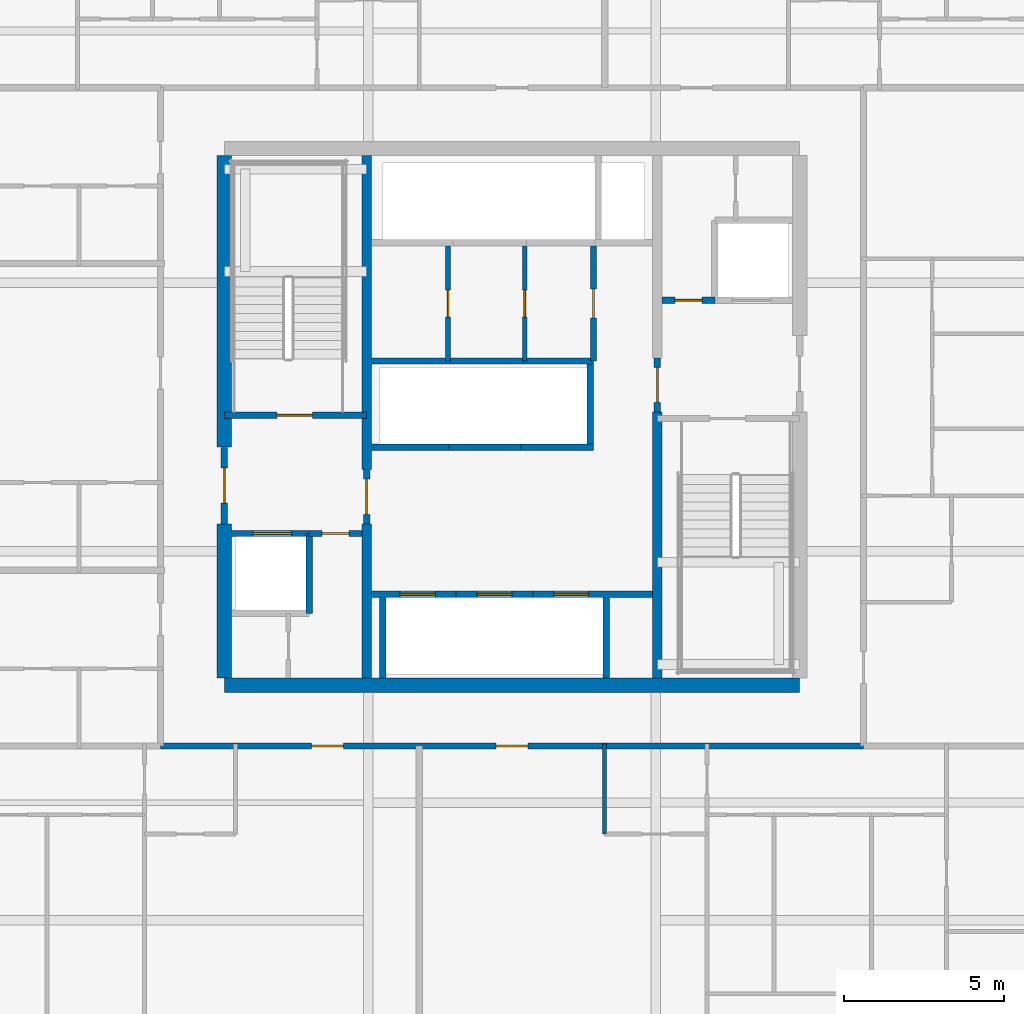
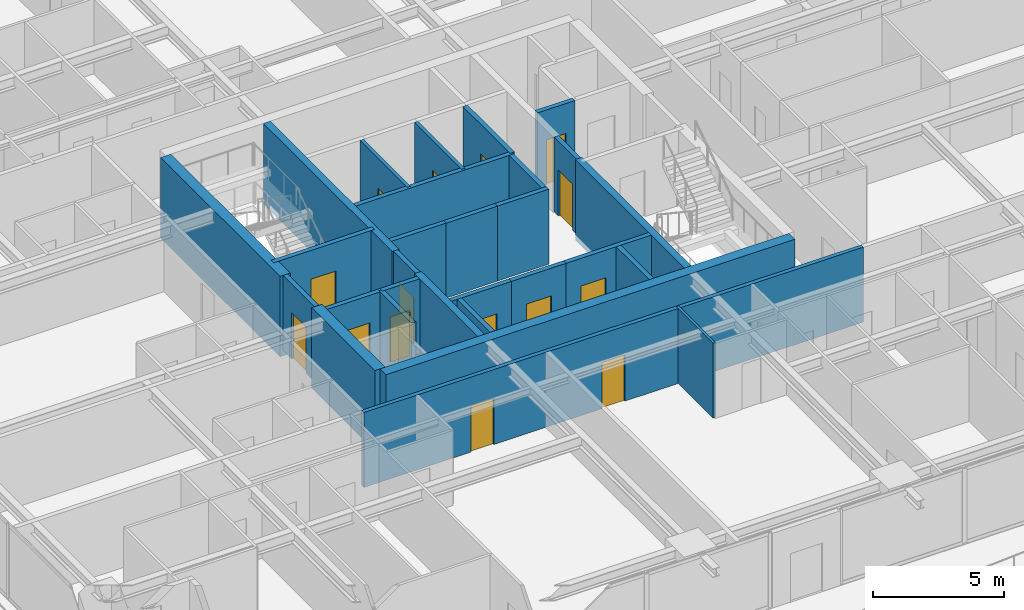
# One storey, part 28 of 39: 29 walls, 15 doors, 15 openings.
"""IFC4 building model written with IfcOpenShell, lengths in metres."""

import ifcopenshell
import ifcopenshell.guid

model = None  # the IFC model being written
_history = None  # IfcOwnerHistory: only IFC2X3 demands one
_inside = {}  # id of a spatial element -> (the spatial element, [elements in it])
_under = {}  # id of a project, library or spatial element -> (it, [spatial elements below it])
_declared = {}  # id of a project -> (the project, [libraries it declares])
_typed = {}  # id of a type object -> (the type object, [elements of that type])
_made_of = {}  # id of a material, layer set ... -> (it, [elements and type objects made of it])


def new_model(schema):
    """Start an empty IFC model of exactly this schema.

    Asked for "IFC4X3", IfcOpenShell would pick the latest addendum, in which some entities
    have other attributes; the version numbers below select the first issue.
    IFC2X3 requires an IfcOwnerHistory on every rooted entity: one is made here for all.
    """
    global model, _history
    if schema == "IFC4X3":
        model = ifcopenshell.file(schema_version=(4, 3, 0, 0))
    else:
        model = ifcopenshell.file(schema=schema)
    _inside.clear()
    _under.clear()
    _declared.clear()
    _typed.clear()
    _made_of.clear()
    _history = None
    if model.schema == "IFC2X3":
        org = make("IfcOrganization", Name="unknown")
        user = make(
            "IfcPersonAndOrganization",
            ThePerson=make("IfcPerson", FamilyName="unknown"),
            TheOrganization=org,
        )
        app = make(
            "IfcApplication",
            ApplicationDeveloper=org,
            Version="unknown",
            ApplicationFullName="unknown",
            ApplicationIdentifier="unknown",
        )
        _history = make(
            "IfcOwnerHistory",
            OwningUser=user,
            OwningApplication=app,
            ChangeAction="ADDED",
            CreationDate=0,
        )
    return model


def make(cls, **values):
    """One entity of the class cls with the attributes given. An attribute that is None is left unset."""
    return model.create_entity(
        cls, **{name: value for name, value in values.items() if value is not None}
    )


def rooted(cls, **values):
    """An entity with a GlobalId (a new one), such as an element, a storey or a relation."""
    return make(cls, GlobalId=ifcopenshell.guid.new(), OwnerHistory=_history, **values)


def si_unit(unit_type, name, prefix=None):
    """IfcSIUnit, for example si_unit("LENGTHUNIT", "METRE", prefix="MILLI")."""
    return make("IfcSIUnit", UnitType=unit_type, Prefix=prefix, Name=name)


def assignment(units):
    """IfcUnitAssignment: the units of a project."""
    return None if units is None else make("IfcUnitAssignment", Units=units)


def point(xyz):
    """IfcCartesianPoint."""
    return None if xyz is None else make("IfcCartesianPoint", Coordinates=xyz)


def direction(xyz):
    """IfcDirection."""
    return None if xyz is None else make("IfcDirection", DirectionRatios=xyz)


def frame(location, z_axis=None, x_axis=None):
    """IfcAxis2Placement3D, a coordinate frame: its origin and axes. An axis left out is left unset."""
    return make(
        "IfcAxis2Placement3D",
        Location=point(location),
        Axis=direction(z_axis),
        RefDirection=direction(x_axis),
    )


def frame_2d(location, x_axis=None):
    """IfcAxis2Placement2D, a coordinate frame in the plane: its origin and x axis."""
    return make(
        "IfcAxis2Placement2D", Location=point(location), RefDirection=direction(x_axis)
    )


def origin():
    """The frame at (0, 0, 0) with its axes left unset."""
    return frame((0.0, 0.0, 0.0))


def place(relative_to, where):
    """IfcLocalPlacement: puts the frame where relative to a parent placement (None: the world)."""
    return make(
        "IfcLocalPlacement", PlacementRelTo=relative_to, RelativePlacement=where
    )


def context(
    kind, dimensions, precision=None, world=None, true_north=None, identifier=None
):
    """IfcGeometricRepresentationContext, for example the 3D "Model" context."""
    return make(
        "IfcGeometricRepresentationContext",
        ContextIdentifier=identifier,
        ContextType=kind,
        CoordinateSpaceDimension=dimensions,
        Precision=precision,
        WorldCoordinateSystem=world,
        TrueNorth=true_north,
    )


def subcontext(parent, identifier, kind, view, scale=None):
    """IfcGeometricRepresentationSubContext, for example "Body" below "Model"."""
    return make(
        "IfcGeometricRepresentationSubContext",
        ContextIdentifier=identifier,
        ContextType=kind,
        ParentContext=parent,
        TargetScale=scale,
        TargetView=view,
    )


def project(units=None, contexts=None):
    """IfcProject with its units and contexts."""
    return rooted(
        "IfcProject",
        Name="project",
        RepresentationContexts=contexts,
        UnitsInContext=assignment(units),
    )


def spatial(cls, under=None, at=None, **own):
    """A site, building, storey or space (cls), placed at a placement, below another one or the project."""
    s = rooted(cls, ObjectPlacement=at, **own)
    if under is not None:
        _under.setdefault(under.id(), (under, []))[1].append(s)
    return s


def profile(cls, at=None, kind="AREA", **sizes):
    """A parametric profile (cls). Its sizes go by their IFC names, for example OverallWidth=200.0."""
    return make(cls, ProfileType=kind, Position=at, **sizes)


def rectangle(**sizes):
    """IfcRectangleProfileDef."""
    return profile("IfcRectangleProfileDef", **sizes)


def extrude(swept, where, along, depth):
    """IfcExtrudedAreaSolid: the profile swept, set in the frame where, extruded along a direction by depth."""
    return make(
        "IfcExtrudedAreaSolid",
        SweptArea=swept,
        Position=where,
        ExtrudedDirection=direction(along),
        Depth=depth,
    )


def shape(context_of_items, identifier, shape_type, items):
    """IfcShapeRepresentation: the items that make up one representation, for example the "Body"."""
    return make(
        "IfcShapeRepresentation",
        ContextOfItems=context_of_items,
        RepresentationIdentifier=identifier,
        RepresentationType=shape_type,
        Items=items,
    )


def source(mapping_origin, context_of_items, identifier, shape_type, items):
    """IfcRepresentationMap: a shape defined once, which mapped items show again and again."""
    return make(
        "IfcRepresentationMap",
        MappingOrigin=mapping_origin,
        MappedRepresentation=shape(context_of_items, identifier, shape_type, items),
    )


def transform(
    local_origin,
    x_axis=None,
    y_axis=None,
    z_axis=None,
    scale=None,
    scale2=None,
    scale3=None,
    uniform=True,
):
    """IfcCartesianTransformationOperator3D, or its non-uniform kind. x_axis, y_axis, z_axis: its Axis1, 2, 3."""
    if uniform:
        return make(
            "IfcCartesianTransformationOperator3D",
            Axis1=direction(x_axis),
            Axis2=direction(y_axis),
            LocalOrigin=point(local_origin),
            Scale=scale,
            Axis3=direction(z_axis),
        )
    return make(
        "IfcCartesianTransformationOperator3DnonUniform",
        Axis1=direction(x_axis),
        Axis2=direction(y_axis),
        LocalOrigin=point(local_origin),
        Scale=scale,
        Axis3=direction(z_axis),
        Scale2=scale2,
        Scale3=scale3,
    )


def mapped(mapping_source, mapping_target):
    """IfcMappedItem: shows the shape of a source again, moved by a transform."""
    return make(
        "IfcMappedItem", MappingSource=mapping_source, MappingTarget=mapping_target
    )


def material(Name=None, Category=None):
    """IfcMaterial."""
    return make("IfcMaterial", Name=Name, Category=Category)


def layer(
    of_material, thickness, ventilated=None, Name=None, Category=None, Priority=None
):
    """IfcMaterialLayer: one layer of a wall or slab, of a material (None: an air gap)."""
    return make(
        "IfcMaterialLayer",
        Material=of_material,
        LayerThickness=thickness,
        IsVentilated=ventilated,
        Name=Name,
        Category=Category,
        Priority=Priority,
    )


def layer_set(layers, Name=None):
    """IfcMaterialLayerSet."""
    return make("IfcMaterialLayerSet", MaterialLayers=layers, LayerSetName=Name)


def made_of(thing, what):
    """Note that an element or type object is made of a material, layer set ...; save() writes the relation."""
    if what is not None:
        _made_of.setdefault(what.id(), (what, []))[1].append(thing)
    return thing


def type_object(cls, material=None, **own):
    """A type object (cls), such as IfcWallType, which elements share."""
    return made_of(rooted(cls, **own), material)


def element(
    cls,
    number,
    at=None,
    inside=None,
    cuts=None,
    type_object=None,
    material=None,
    context=None,
    identifier="Body",
    shape_type=None,
    held_by="IfcProductDefinitionShape",
    body=None,
    shapes=None,
    **own,
):
    """One element of the class cls, such as IfcWall. Its Tag is "e" and its number.

    at: its placement. inside: the storey or other place that contains it. cuts: it is an
    opening in that element (IfcRelVoidsElement). A single representation is given by context,
    identifier, shape_type and body (its items); several are given by shapes. held_by: the class
    of the entity that holds the representations. save() writes the other relations.
    """
    e = rooted(cls, Tag="e%d" % number, ObjectPlacement=at, **own)
    if body is not None:
        shapes = [shape(context, identifier, shape_type, body)]
    if shapes is not None:
        e.Representation = make(held_by, Representations=shapes)
    if inside is not None:
        _inside.setdefault(inside.id(), (inside, []))[1].append(e)
    if cuts is not None:
        rooted(
            "IfcRelVoidsElement", RelatingBuildingElement=cuts, RelatedOpeningElement=e
        )
    if type_object is not None:
        _typed.setdefault(type_object.id(), (type_object, []))[1].append(e)
    return made_of(e, material)


def fill(opening, filler):
    """IfcRelFillsElement: the door or window that sits in an opening."""
    return rooted(
        "IfcRelFillsElement",
        RelatingOpeningElement=opening,
        RelatedBuildingElement=filler,
    )


def aggregate(whole, parts):
    """IfcRelAggregates: a whole, such as a stair, and the parts it consists of."""
    return rooted("IfcRelAggregates", RelatingObject=whole, RelatedObjects=parts)


def save(model, path):
    """Write the relations noted so far, then the file.

    IfcRelAggregates (storeys below a building ...), IfcRelContainedInSpatialStructure (elements
    in a storey), IfcRelDefinesByType, IfcRelAssociatesMaterial and IfcRelDeclares: one each for
    every whole, place, type object, material and project.
    """
    for whole, parts in _under.values():
        aggregate(whole, parts)
    for where, things in _inside.values():
        rooted(
            "IfcRelContainedInSpatialStructure",
            RelatedElements=things,
            RelatingStructure=where,
        )
    for kind, things in _typed.values():
        rooted("IfcRelDefinesByType", RelatedObjects=things, RelatingType=kind)
    for what, things in _made_of.values():
        rooted("IfcRelAssociatesMaterial", RelatedObjects=things, RelatingMaterial=what)
    for by, libraries in _declared.values():
        rooted("IfcRelDeclares", RelatingContext=by, RelatedDefinitions=libraries)
    model.write(path)


model = new_model("IFC4")

# Units and contexts
model_context = context("Model", 3, precision=1e-05, world=origin(), true_north=direction((0.0, 1.0)))
body_context = subcontext(model_context, "Body", "Model", "MODEL_VIEW")
ifc_project = project(units=[si_unit("LENGTHUNIT", "METRE"), si_unit("AREAUNIT", "SQUARE_METRE"), si_unit("VOLUMEUNIT", "CUBIC_METRE"), si_unit("PLANEANGLEUNIT", "RADIAN"), si_unit("MASSUNIT", "GRAM", prefix="KILO")], contexts=[model_context])

# Site, building, storey
site_placement = place(None, origin())
site = spatial("IfcSite", under=ifc_project, at=site_placement, CompositionType="ELEMENT")
building_placement = place(site_placement, origin())
building = spatial("IfcBuilding", under=site, at=building_placement, Name="Serunith Strait Residences", CompositionType="ELEMENT")
storey_placement = place(building_placement, frame((0.0, 0.0, 79.199951171875)))
storey = spatial("IfcBuildingStorey", under=building, at=storey_placement, Name="L19", CompositionType="ELEMENT", Elevation=79.199951171875)

# Wall, opening, door
ifc_material_1 = material(Name="Fire-rated masonry service closet wall", Category="masonry")
ifc_layer_1 = layer(ifc_material_1, 0.14990234375, Name="Fire-rated masonry service closet wall")
ifc_layer_set_1 = layer_set([ifc_layer_1], Name="Fire-rated masonry service closet wall")
wall_type_1 = type_object("IfcWallType", Name="IW-BOH-150", PredefinedType="PARTITIONING", material=ifc_layer_set_1)
wall_1_placement = place(storey_placement, frame((32.800048828125, 26.949951171875, 0.0), z_axis=(0.0, 0.0, 1.0), x_axis=(0.0, 1.0, 0.0)))
wall_1 = element("IfcWall", 1, at=wall_1_placement, inside=storey, type_object=wall_type_1, Name="L19 Partition Wall 015", PredefinedType="PARTITIONING", context=body_context, shape_type="SweptSolid", body=[
    extrude(rectangle(XDim=3.60009765625, YDim=0.14990234375, at=frame_2d((1.800048828125, 0.0))), origin(), (0.0, 0.0, 1.0), 3.489990234375),
])
opening_1_placement = place(wall_1_placement, frame((1.375, 0.0, 0.0)))
opening_1 = element("IfcOpeningElement", 2, at=opening_1_placement, cuts=wall_1, Name="Opening FD-850", PredefinedType="OPENING", context=body_context, shape_type="SweptSolid", body=[
    extrude(rectangle(XDim=0.85009765625, YDim=2.10009765625, at=frame_2d((0.425048828125, 1.050048828125))), frame((0.0, 0.0849609375, 0.0), z_axis=(0.0, -1.0, 0.0), x_axis=(1.0, 0.0, 0.0)), (0.0, 0.0, 1.0), 0.169921875),
])
ifc_material_2 = material(Name="Powder-coated steel service closet door", Category="steel")
door_type_1 = type_object("IfcDoorType", Name="FD-BOH-850", OperationType="NOTDEFINED", PredefinedType="DOOR", material=ifc_material_2)
shared_shape_1 = source(origin(), body_context, "Body", "SweptSolid", [
    extrude(rectangle(XDim=0.85009765625, YDim=2.10009765625, at=frame_2d((0.425048828125, 1.050048828125))), frame((0.0, 0.02490234375, 0.0), z_axis=(0.0, -1.0, 0.0), x_axis=(1.0, 0.0, 0.0)), (0.0, 0.0, 1.0), 0.050048828125),
])
door_1_placement = place(opening_1_placement, origin())
door_1 = element("IfcDoor", 3, at=door_1_placement, inside=storey, type_object=door_type_1, Name="L19 Linen Store Door", OperationType="SINGLE_SWING_RIGHT", OverallHeight=2.10009765625, OverallWidth=0.85009765625, PredefinedType="DOOR", context=body_context, shape_type="MappedRepresentation", body=[
    mapped(shared_shape_1, transform((0.0, 0.0, 0.0), scale=1.0)),
])
fill(opening_1, door_1)

wall_2_placement = place(storey_placement, frame((30.39990234375, 26.949951171875, 0.0), z_axis=(0.0, 0.0, 1.0), x_axis=(0.0, 1.0, 0.0)))
wall_2 = element("IfcWall", 4, at=wall_2_placement, inside=storey, type_object=wall_type_1, Name="L19 Partition Wall 016", PredefinedType="PARTITIONING", context=body_context, shape_type="SweptSolid", body=[
    extrude(rectangle(XDim=3.60009765625, YDim=0.14990234375, at=frame_2d((1.800048828125, 0.0))), origin(), (0.0, 0.0, 1.0), 3.489990234375),
])
opening_2_placement = place(wall_2_placement, frame((1.375, 0.0, 0.0)))
opening_2 = element("IfcOpeningElement", 5, at=opening_2_placement, cuts=wall_2, Name="Opening FD-850", PredefinedType="OPENING", context=body_context, shape_type="SweptSolid", body=[
    extrude(rectangle(XDim=0.85009765625, YDim=2.10009765625, at=frame_2d((0.425048828125, 1.050048828125))), frame((0.0, 0.0849609375, 0.0), z_axis=(0.0, -1.0, 0.0), x_axis=(1.0, 0.0, 0.0)), (0.0, 0.0, 1.0), 0.169921875),
])
door_2_placement = place(opening_2_placement, origin())
door_2 = element("IfcDoor", 6, at=door_2_placement, inside=storey, type_object=door_type_1, Name="L19 Housekeeping Supply Door", OperationType="SINGLE_SWING_LEFT", OverallHeight=2.10009765625, OverallWidth=0.85009765625, PredefinedType="DOOR", context=body_context, shape_type="MappedRepresentation", body=[
    mapped(shared_shape_1, transform((0.0, 0.0, 0.0), scale=1.0)),
])
fill(opening_2, door_2)

# Wall, openings, doors
ifc_material_3 = material(Name="Fire-rated acoustic gypsum partition")
ifc_layer_2 = layer(ifc_material_3, 0.179931640625, Name="Fire-rated acoustic gypsum partition")
ifc_layer_set_2 = layer_set([ifc_layer_2], Name="Fire-rated acoustic gypsum partition")
wall_type_2 = type_object("IfcWallType", Name="IW-CORR-180", PredefinedType="PARTITIONING", material=ifc_layer_set_2)
wall_3_placement = place(storey_placement, frame((21.402099609375, 14.89990234375, 0.0), z_axis=(0.0, 0.0, 1.0), x_axis=(1.0, 0.0, 0.0)))
wall_3 = element("IfcWall", 7, at=wall_3_placement, inside=storey, type_object=wall_type_2, Name="L19 Partition Wall 025", PredefinedType="PARTITIONING", context=body_context, shape_type="SweptSolid", body=[
    extrude(rectangle(XDim=21.995849609375, YDim=0.179931640625, at=frame_2d((10.998046875, 0.0))), origin(), (0.0, 0.0, 1.0), 3.489990234375),
])
opening_3_placement = place(wall_3_placement, frame((4.72412109375, 0.0, 0.0)))
opening_3 = element("IfcOpeningElement", 8, at=opening_3_placement, cuts=wall_3, Name="Opening D-APT1000", PredefinedType="OPENING", context=body_context, shape_type="SweptSolid", body=[
    extrude(rectangle(XDim=1.0, YDim=2.14990234375, at=frame_2d((0.5, 1.074951171875))), frame((0.0, 0.10009765625, 0.0), z_axis=(0.0, -1.0, 0.0), x_axis=(1.0, 0.0, 0.0)), (0.0, 0.0, 1.0), 0.199951171875),
])
opening_4_placement = place(wall_3_placement, frame((10.498046875, 0.0, 0.0)))
opening_4 = element("IfcOpeningElement", 9, at=opening_4_placement, cuts=wall_3, Name="Opening D-APT1000", PredefinedType="OPENING", context=body_context, shape_type="SweptSolid", body=[
    extrude(rectangle(XDim=1.0, YDim=2.14990234375, at=frame_2d((0.5, 1.074951171875))), frame((0.0, 0.10009765625, 0.0), z_axis=(0.0, -1.0, 0.0), x_axis=(1.0, 0.0, 0.0)), (0.0, 0.0, 1.0), 0.199951171875),
])
ifc_material_4 = material(Name="Solid timber engineered fire door", Category="wood")
door_type_2 = type_object("IfcDoorType", Name="ID-APT-1000", OperationType="NOTDEFINED", PredefinedType="DOOR", material=ifc_material_4)
shared_shape_2 = source(origin(), body_context, "Body", "SweptSolid", [
    extrude(rectangle(XDim=1.0, YDim=2.14990234375, at=frame_2d((0.5, 1.074951171875))), frame((0.0, 0.02490234375, 0.0), z_axis=(0.0, -1.0, 0.0), x_axis=(1.0, 0.0, 0.0)), (0.0, 0.0, 1.0), 0.050048828125),
])
door_3_placement = place(opening_3_placement, origin())
door_3 = element("IfcDoor", 10, at=door_3_placement, inside=storey, type_object=door_type_2, Name="L19 Unit 01 Entrance Door", OperationType="SINGLE_SWING_RIGHT", OverallHeight=2.14990234375, OverallWidth=1.0, PredefinedType="DOOR", context=body_context, shape_type="MappedRepresentation", body=[
    mapped(shared_shape_2, transform((0.0, 0.0, 0.0), scale=1.0)),
])
fill(opening_3, door_3)
door_4_placement = place(opening_4_placement, origin())
door_4 = element("IfcDoor", 11, at=door_4_placement, inside=storey, type_object=door_type_2, Name="L19 Unit 02 Entrance Door", OperationType="SINGLE_SWING_LEFT", OverallHeight=2.14990234375, OverallWidth=1.0, PredefinedType="DOOR", context=body_context, shape_type="MappedRepresentation", body=[
    mapped(shared_shape_2, transform((0.0, 0.0, 0.0), scale=1.0)),
])
fill(opening_4, door_4)

# Wall
ifc_material_5 = material(Name="Lightweight steel-stud gypsum partition", Category="steel")
ifc_layer_3 = layer(ifc_material_5, 0.1201171875, Name="Lightweight steel-stud gypsum partition")
ifc_layer_set_3 = layer_set([ifc_layer_3], Name="Lightweight steel-stud gypsum partition")
wall_type_3 = type_object("IfcWallType", Name="IW-PART-120", PredefinedType="PARTITIONING", material=ifc_layer_set_3)
wall_4_placement = place(storey_placement, frame((35.300048828125, 12.14990234375, 0.0), z_axis=(0.0, 0.0, 1.0), x_axis=(0.0, 1.0, 0.0)))
element("IfcWall", 12, at=wall_4_placement, inside=storey, type_object=wall_type_3, Name="L19 Partition Wall 046", PredefinedType="PARTITIONING", context=body_context, shape_type="SweptSolid", body=[
    extrude(rectangle(XDim=2.81005859375, YDim=0.1201171875, at=frame_2d((1.405029296875, 0.0))), origin(), (0.0, 0.0, 1.0), 3.489990234375),
])

# Wall, opening, door
ifc_material_6 = material(Name="Autoclaved aerated concrete blockwork", Category="masonry")
ifc_layer_4 = layer(ifc_material_6, 0.199951171875, Name="Autoclaved aerated concrete blockwork")
ifc_layer_set_4 = layer_set([ifc_layer_4], Name="Autoclaved aerated concrete blockwork")
wall_type_4 = type_object("IfcWallType", Name="IW-SHAFT-200", PredefinedType="STANDARD", material=ifc_layer_set_4)
wall_5_placement = place(storey_placement, frame((23.39990234375, 25.25, 0.0), z_axis=(0.0, 0.0, 1.0), x_axis=(1.0, 0.0, 0.0)))
wall_5 = element("IfcWall", 13, at=wall_5_placement, inside=storey, type_object=wall_type_4, Name="L19 ST-1 South Shaft Wall", PredefinedType="STANDARD", context=body_context, shape_type="SweptSolid", body=[
    extrude(rectangle(XDim=4.4501953125, YDim=0.199951171875, at=frame_2d((2.22509765625, 0.0))), origin(), (0.0, 0.0, 1.0), 3.489990234375),
])
opening_5_placement = place(wall_5_placement, frame((1.64990234375, 0.0, 0.0)))
opening_5 = element("IfcOpeningElement", 14, at=opening_5_placement, cuts=wall_5, Name="Opening FD-1100", PredefinedType="OPENING", context=body_context, shape_type="SweptSolid", body=[
    extrude(rectangle(XDim=1.10009765625, YDim=2.14990234375, at=frame_2d((0.550048828125, 1.074951171875))), frame((0.0, 0.10986328125, 0.0), z_axis=(0.0, -1.0, 0.0), x_axis=(1.0, 0.0, 0.0)), (0.0, 0.0, 1.0), 0.219970703125),
])
ifc_material_7 = material(Name="Galvanised steel fire door leaf", Category="steel")
door_type_3 = type_object("IfcDoorType", Name="FD-STAIR-1100", OperationType="NOTDEFINED", PredefinedType="DOOR", material=ifc_material_7)
shared_shape_3 = source(origin(), body_context, "Body", "SweptSolid", [
    extrude(rectangle(XDim=1.10009765625, YDim=2.14990234375, at=frame_2d((0.550048828125, 1.074951171875))), frame((0.0, 0.02490234375, 0.0), z_axis=(0.0, -1.0, 0.0), x_axis=(1.0, 0.0, 0.0)), (0.0, 0.0, 1.0), 0.050048828125),
])
door_5_placement = place(opening_5_placement, origin())
door_5 = element("IfcDoor", 15, at=door_5_placement, inside=storey, type_object=door_type_3, Name="L19 ST-1 Escape Stair Door", OperationType="SINGLE_SWING_LEFT", OverallHeight=2.14990234375, OverallWidth=1.10009765625, PredefinedType="DOOR", context=body_context, shape_type="MappedRepresentation", body=[
    mapped(shared_shape_3, transform((0.0, 0.0, 0.0), scale=1.0)),
])
fill(opening_5, door_5)

wall_6_placement = place(storey_placement, frame((23.625, 21.550048828125, 0.0), z_axis=(0.0, 0.0, 1.0), x_axis=(1.0, 0.0, 0.0)))
wall_6 = element("IfcWall", 16, at=wall_6_placement, inside=storey, type_object=wall_type_4, Name="L19 FL-1 North Shaft Wall", PredefinedType="STANDARD", context=body_context, shape_type="SweptSolid", body=[
    extrude(rectangle(XDim=2.425048828125, YDim=0.199951171875, at=frame_2d((1.21240234375, 0.0))), origin(), (0.0, 0.0, 1.0), 3.489990234375),
])
opening_6_placement = place(wall_6_placement, frame((0.675048828125, 0.0, 0.0)))
opening_6 = element("IfcOpeningElement", 17, at=opening_6_placement, cuts=wall_6, Name="Opening LD-FF1200", PredefinedType="OPENING", context=body_context, shape_type="SweptSolid", body=[
    extrude(rectangle(XDim=1.199951171875, YDim=2.199951171875, at=frame_2d((0.60009765625, 1.10009765625))), frame((0.0, 0.10986328125, 0.0), z_axis=(0.0, -1.0, 0.0), x_axis=(1.0, 0.0, 0.0)), (0.0, 0.0, 1.0), 0.219970703125),
])
ifc_material_8 = material(Name="Brushed stainless steel landing door", Category="steel")
door_type_4 = type_object("IfcDoorType", Name="LD-FF-1200", OperationType="DOUBLE_DOOR_SLIDING", PredefinedType="DOOR", material=ifc_material_8)
shared_shape_4 = source(origin(), body_context, "Body", "SweptSolid", [
    extrude(rectangle(XDim=1.199951171875, YDim=2.199951171875, at=frame_2d((0.60009765625, 1.10009765625))), frame((0.0, 0.02490234375, 0.0), z_axis=(0.0, -1.0, 0.0), x_axis=(1.0, 0.0, 0.0)), (0.0, 0.0, 1.0), 0.050048828125),
])
door_6_placement = place(opening_6_placement, origin())
door_6 = element("IfcDoor", 18, at=door_6_placement, inside=storey, type_object=door_type_4, Name="L19 FL-1 Landing Door", OperationType="DOUBLE_DOOR_SLIDING", OverallHeight=2.199951171875, OverallWidth=1.199951171875, PredefinedType="DOOR", context=body_context, shape_type="MappedRepresentation", body=[
    mapped(shared_shape_4, transform((0.0, 0.0, 0.0), scale=1.0)),
])
fill(opening_6, door_6)

wall_7_placement = place(storey_placement, frame((28.0, 19.64990234375, 0.0), z_axis=(0.0, 0.0, 1.0), x_axis=(1.0, 0.0, 0.0)))
wall_7 = element("IfcWall", 19, at=wall_7_placement, inside=storey, type_object=wall_type_4, Name="L19 PL-1 North Shaft Wall", PredefinedType="STANDARD", context=body_context, shape_type="SweptSolid", body=[
    extrude(rectangle(XDim=2.64990234375, YDim=0.199951171875, at=frame_2d((1.324951171875, 0.0))), origin(), (0.0, 0.0, 1.0), 3.489990234375),
])
opening_7_placement = place(wall_7_placement, frame((0.89990234375, 0.0, 0.0)))
opening_7 = element("IfcOpeningElement", 20, at=opening_7_placement, cuts=wall_7, Name="Opening LD-1100", PredefinedType="OPENING", context=body_context, shape_type="SweptSolid", body=[
    extrude(rectangle(XDim=1.10009765625, YDim=2.199951171875, at=frame_2d((0.550048828125, 1.10009765625))), frame((0.0, 0.10986328125, 0.0), z_axis=(0.0, -1.0, 0.0), x_axis=(1.0, 0.0, 0.0)), (0.0, 0.0, 1.0), 0.219970703125),
])
ifc_material_9 = material(Name="Pale-champagne stainless landing door")
door_type_5 = type_object("IfcDoorType", Name="LD-LIFT-1100", OperationType="DOUBLE_DOOR_SLIDING", PredefinedType="DOOR", material=ifc_material_9)
shared_shape_5 = source(origin(), body_context, "Body", "SweptSolid", [
    extrude(rectangle(XDim=1.10009765625, YDim=2.199951171875, at=frame_2d((0.550048828125, 1.10009765625))), frame((0.0, 0.02490234375, 0.0), z_axis=(0.0, -1.0, 0.0), x_axis=(1.0, 0.0, 0.0)), (0.0, 0.0, 1.0), 0.050048828125),
])
door_7_placement = place(opening_7_placement, origin())
door_7 = element("IfcDoor", 21, at=door_7_placement, inside=storey, type_object=door_type_5, Name="L19 PL-1 Landing Door", OperationType="DOUBLE_DOOR_SLIDING", OverallHeight=2.199951171875, OverallWidth=1.10009765625, PredefinedType="DOOR", context=body_context, shape_type="MappedRepresentation", body=[
    mapped(shared_shape_5, transform((0.0, 0.0, 0.0), scale=1.0)),
])
fill(opening_7, door_7)

# Wall
wall_8_placement = place(storey_placement, frame((28.35009765625, 17.02490234375, 0.0), z_axis=(0.0, 0.0, 1.0), x_axis=(0.0, 1.0, 0.0)))
element("IfcWall", 22, at=wall_8_placement, inside=storey, type_object=wall_type_4, Name="L19 PL-1 West Shaft Wall", PredefinedType="STANDARD", context=body_context, shape_type="SweptSolid", body=[
    extrude(rectangle(XDim=2.525146484375, YDim=0.199951171875, at=frame_2d((1.2626953125, 0.0))), origin(), (0.0, 0.0, 1.0), 3.489990234375),
])

# Wall, opening, door
wall_9_placement = place(storey_placement, frame((30.64990234375, 19.64990234375, 0.0), z_axis=(0.0, 0.0, 1.0), x_axis=(1.0, 0.0, 0.0)))
wall_9 = element("IfcWall", 23, at=wall_9_placement, inside=storey, type_object=wall_type_4, Name="L19 PL-2 North Shaft Wall", PredefinedType="STANDARD", context=body_context, shape_type="SweptSolid", body=[
    extrude(rectangle(XDim=2.400146484375, YDim=0.199951171875, at=frame_2d((1.2001953125, 0.0))), origin(), (0.0, 0.0, 1.0), 3.489990234375),
])
opening_8_placement = place(wall_9_placement, frame((0.64990234375, 0.0, 0.0)))
opening_8 = element("IfcOpeningElement", 24, at=opening_8_placement, cuts=wall_9, Name="Opening LD-1100", PredefinedType="OPENING", context=body_context, shape_type="SweptSolid", body=[
    extrude(rectangle(XDim=1.10009765625, YDim=2.199951171875, at=frame_2d((0.550048828125, 1.10009765625))), frame((0.0, 0.10986328125, 0.0), z_axis=(0.0, -1.0, 0.0), x_axis=(1.0, 0.0, 0.0)), (0.0, 0.0, 1.0), 0.219970703125),
])
door_8_placement = place(opening_8_placement, origin())
door_8 = element("IfcDoor", 25, at=door_8_placement, inside=storey, type_object=door_type_5, Name="L19 PL-2 Landing Door", OperationType="DOUBLE_DOOR_SLIDING", OverallHeight=2.199951171875, OverallWidth=1.10009765625, PredefinedType="DOOR", context=body_context, shape_type="MappedRepresentation", body=[
    mapped(shared_shape_5, transform((0.0, 0.0, 0.0), scale=1.0)),
])
fill(opening_8, door_8)

wall_10_placement = place(storey_placement, frame((33.050048828125, 19.64990234375, 0.0), z_axis=(0.0, 0.0, 1.0), x_axis=(1.0, 0.0, 0.0)))
wall_10 = element("IfcWall", 26, at=wall_10_placement, inside=storey, type_object=wall_type_4, Name="L19 PL-3 North Shaft Wall", PredefinedType="STANDARD", context=body_context, shape_type="SweptSolid", body=[
    extrude(rectangle(XDim=3.75, YDim=0.199951171875, at=frame_2d((1.875, 0.0))), origin(), (0.0, 0.0, 1.0), 3.489990234375),
])
opening_9_placement = place(wall_10_placement, frame((0.64990234375, 0.0, 0.0)))
opening_9 = element("IfcOpeningElement", 27, at=opening_9_placement, cuts=wall_10, Name="Opening LD-1100", PredefinedType="OPENING", context=body_context, shape_type="SweptSolid", body=[
    extrude(rectangle(XDim=1.10009765625, YDim=2.199951171875, at=frame_2d((0.550048828125, 1.10009765625))), frame((0.0, 0.10986328125, 0.0), z_axis=(0.0, -1.0, 0.0), x_axis=(1.0, 0.0, 0.0)), (0.0, 0.0, 1.0), 0.219970703125),
])
door_9_placement = place(opening_9_placement, origin())
door_9 = element("IfcDoor", 28, at=door_9_placement, inside=storey, type_object=door_type_5, Name="L19 PL-3 Landing Door", OperationType="DOUBLE_DOOR_SLIDING", OverallHeight=2.199951171875, OverallWidth=1.10009765625, PredefinedType="DOOR", context=body_context, shape_type="MappedRepresentation", body=[
    mapped(shared_shape_5, transform((0.0, 0.0, 0.0), scale=1.0)),
])
fill(opening_9, door_9)

# Walls
wall_11_placement = place(storey_placement, frame((35.35009765625, 17.02490234375, 0.0), z_axis=(0.0, 0.0, 1.0), x_axis=(0.0, 1.0, 0.0)))
element("IfcWall", 29, at=wall_11_placement, inside=storey, type_object=wall_type_4, Name="L19 PL-3 East Shaft Wall", PredefinedType="STANDARD", context=body_context, shape_type="SweptSolid", body=[
    extrude(rectangle(XDim=2.525146484375, YDim=0.199951171875, at=frame_2d((1.2626953125, 0.0))), origin(), (0.0, 0.0, 1.0), 3.489990234375),
])
wall_12_placement = place(storey_placement, frame((28.0, 24.25, 0.0), z_axis=(0.0, 0.0, 1.0), x_axis=(1.0, 0.0, 0.0)))
element("IfcWall", 30, at=wall_12_placement, inside=storey, type_object=wall_type_4, Name="L19 PL-4 South Shaft Wall", PredefinedType="STANDARD", context=body_context, shape_type="SweptSolid", body=[
    extrude(rectangle(XDim=2.425048828125, YDim=0.199951171875, at=frame_2d((1.21240234375, 0.0))), origin(), (0.0, 0.0, 1.0), 3.489990234375),
])
wall_13_placement = place(storey_placement, frame((30.425048828125, 24.25, 0.0), z_axis=(0.0, 0.0, 1.0), x_axis=(1.0, 0.0, 0.0)))
element("IfcWall", 31, at=wall_13_placement, inside=storey, type_object=wall_type_4, Name="L19 PL-5 South Shaft Wall", PredefinedType="STANDARD", context=body_context, shape_type="SweptSolid", body=[
    extrude(rectangle(XDim=2.25, YDim=0.199951171875, at=frame_2d((1.125, 0.0))), origin(), (0.0, 0.0, 1.0), 3.489990234375),
])
wall_14_placement = place(storey_placement, frame((32.675048828125, 24.25, 0.0), z_axis=(0.0, 0.0, 1.0), x_axis=(1.0, 0.0, 0.0)))
element("IfcWall", 32, at=wall_14_placement, inside=storey, type_object=wall_type_4, Name="L19 PL-6 South Shaft Wall", PredefinedType="STANDARD", context=body_context, shape_type="SweptSolid", body=[
    extrude(rectangle(XDim=2.27490234375, YDim=0.199951171875, at=frame_2d((1.137451171875, 0.0))), origin(), (0.0, 0.0, 1.0), 3.489990234375),
])
for number, where, z_axis, x_axis, name in (
    (33, (34.85009765625, 24.35009765625, 0.0), (0.0, 0.0, 1.0), (0.0, 1.0, 0.0), "L19 PL-6 East Shaft Wall"),
    (34, (26.050048828125, 19.050048828125, 0.0), (0.0, 0.0, 1.0), (0.0, 1.0, 0.0), "L19 Partition Wall 001"),
):
    element("IfcWall", number, at=place(storey_placement, frame(where, z_axis=z_axis, x_axis=x_axis)), inside=storey, type_object=wall_type_4, Name=name, PredefinedType="STANDARD", context=body_context, shape_type="SweptSolid", body=[
        extrude(rectangle(XDim=2.5, YDim=0.199951171875, at=frame_2d((1.25, 0.0))), origin(), (0.0, 0.0, 1.0), 3.489990234375),
    ])

# Wall, opening, door
wall_15_placement = place(storey_placement, frame((26.052001953125, 21.550048828125, 0.0), z_axis=(0.0, 0.0, 1.0), x_axis=(1.0, 0.0, 0.0)))
wall_15 = element("IfcWall", 35, at=wall_15_placement, inside=storey, type_object=wall_type_4, Name="L19 Partition Wall 003", PredefinedType="STANDARD", context=body_context, shape_type="SweptSolid", body=[
    extrude(rectangle(XDim=1.64794921875, YDim=0.199951171875, at=frame_2d((0.823974609375, 0.0))), origin(), (0.0, 0.0, 1.0), 3.489990234375),
])
opening_10_placement = place(wall_15_placement, frame((0.39892578125, 0.0, 0.0)))
opening_10 = element("IfcOpeningElement", 36, at=opening_10_placement, cuts=wall_15, Name="Opening FD-850", PredefinedType="OPENING", context=body_context, shape_type="SweptSolid", body=[
    extrude(rectangle(XDim=0.85009765625, YDim=2.10009765625, at=frame_2d((0.425048828125, 1.050048828125))), frame((0.0, 0.10986328125, 0.0), z_axis=(0.0, -1.0, 0.0), x_axis=(1.0, 0.0, 0.0)), (0.0, 0.0, 1.0), 0.219970703125),
])
door_10_placement = place(opening_10_placement, origin())
door_10 = element("IfcDoor", 37, at=door_10_placement, inside=storey, type_object=door_type_1, Name="L19 South-West Core Service Door", OperationType="SINGLE_SWING_LEFT", OverallHeight=2.10009765625, OverallWidth=0.85009765625, PredefinedType="DOOR", context=body_context, shape_type="MappedRepresentation", body=[
    mapped(shared_shape_1, transform((0.0, 0.0, 0.0), scale=1.0)),
])
fill(opening_10, door_10)

wall_16_placement = place(storey_placement, frame((37.10009765625, 28.85009765625, 0.0), z_axis=(0.0, 0.0, 1.0), x_axis=(1.0, 0.0, 0.0)))
wall_16 = element("IfcWall", 38, at=wall_16_placement, inside=storey, type_object=wall_type_4, Name="L19 Partition Wall 006", PredefinedType="STANDARD", context=body_context, shape_type="SweptSolid", body=[
    extrude(rectangle(XDim=1.64794921875, YDim=0.199951171875, at=frame_2d((0.823974609375, 0.0))), origin(), (0.0, 0.0, 1.0), 3.489990234375),
])
opening_11_placement = place(wall_16_placement, frame((0.39892578125, 0.0, 0.0)))
opening_11 = element("IfcOpeningElement", 39, at=opening_11_placement, cuts=wall_16, Name="Opening FD-850", PredefinedType="OPENING", context=body_context, shape_type="SweptSolid", body=[
    extrude(rectangle(XDim=0.85009765625, YDim=2.10009765625, at=frame_2d((0.425048828125, 1.050048828125))), frame((0.0, 0.10986328125, 0.0), z_axis=(0.0, -1.0, 0.0), x_axis=(1.0, 0.0, 0.0)), (0.0, 0.0, 1.0), 0.219970703125),
])
door_11_placement = place(opening_11_placement, origin())
door_11 = element("IfcDoor", 40, at=door_11_placement, inside=storey, type_object=door_type_1, Name="L19 North-East Core Service Door", OperationType="SINGLE_SWING_RIGHT", OverallHeight=2.10009765625, OverallWidth=0.85009765625, PredefinedType="DOOR", context=body_context, shape_type="MappedRepresentation", body=[
    mapped(shared_shape_1, transform((0.0, 0.0, 0.0), scale=1.0)),
])
fill(opening_11, door_11)

wall_17_placement = place(storey_placement, frame((23.39990234375, 21.85205078125, 0.0), z_axis=(0.0, 0.0, 1.0), x_axis=(0.0, 1.0, 0.0)))
wall_17 = element("IfcWall", 41, at=wall_17_placement, inside=storey, type_object=wall_type_4, Name="L19 Partition Wall 007", PredefinedType="STANDARD", context=body_context, shape_type="SweptSolid", body=[
    extrude(rectangle(XDim=2.39599609375, YDim=0.199951171875, at=frame_2d((1.197998046875, 0.0))), origin(), (0.0, 0.0, 1.0), 3.489990234375),
])
opening_12_placement = place(wall_17_placement, frame((0.64794921875, 0.0, 0.0)))
opening_12 = element("IfcOpeningElement", 42, at=opening_12_placement, cuts=wall_17, Name="Opening FD-FFL", PredefinedType="OPENING", context=body_context, shape_type="SweptSolid", body=[
    extrude(rectangle(XDim=1.10009765625, YDim=2.14990234375, at=frame_2d((0.550048828125, 1.074951171875))), frame((0.0, 0.10986328125, 0.0), z_axis=(0.0, -1.0, 0.0), x_axis=(1.0, 0.0, 0.0)), (0.0, 0.0, 1.0), 0.219970703125),
])
ifc_material_10 = material(Name="Glazed steel smoke-lobby fire door", Category="steel")
door_type_6 = type_object("IfcDoorType", Name="FD-FFL-1100", OperationType="NOTDEFINED", PredefinedType="DOOR", material=ifc_material_10)
door_12_placement = place(opening_12_placement, origin())
door_12 = element("IfcDoor", 43, at=door_12_placement, inside=storey, type_object=door_type_6, Name="L19 FFL-1 Corridor Fire Door", OperationType="SINGLE_SWING_LEFT", OverallHeight=2.14990234375, OverallWidth=1.10009765625, PredefinedType="DOOR", context=body_context, shape_type="MappedRepresentation", body=[
    mapped(shared_shape_3, transform((0.0, 0.0, 0.0), scale=1.0)),
])
fill(opening_12, door_12)

wall_18_placement = place(storey_placement, frame((27.85009765625, 21.85205078125, 0.0), z_axis=(0.0, 0.0, 1.0), x_axis=(0.0, 1.0, 0.0)))
wall_18 = element("IfcWall", 44, at=wall_18_placement, inside=storey, type_object=wall_type_4, Name="L19 Partition Wall 009", PredefinedType="STANDARD", context=body_context, shape_type="SweptSolid", body=[
    extrude(rectangle(XDim=1.696044921875, YDim=0.199951171875, at=frame_2d((0.84814453125, 0.0))), origin(), (0.0, 0.0, 1.0), 3.489990234375),
])
opening_13_placement = place(wall_18_placement, frame((0.298095703125, 0.0, 0.0)))
opening_13 = element("IfcOpeningElement", 45, at=opening_13_placement, cuts=wall_18, Name="Opening FD-FFL", PredefinedType="OPENING", context=body_context, shape_type="SweptSolid", body=[
    extrude(rectangle(XDim=1.10009765625, YDim=2.14990234375, at=frame_2d((0.550048828125, 1.074951171875))), frame((0.0, 0.10986328125, 0.0), z_axis=(0.0, -1.0, 0.0), x_axis=(1.0, 0.0, 0.0)), (0.0, 0.0, 1.0), 0.219970703125),
])
door_13_placement = place(opening_13_placement, origin())
door_13 = element("IfcDoor", 46, at=door_13_placement, inside=storey, type_object=door_type_6, Name="L19 FFL-1 Lift Lobby Door", OperationType="SINGLE_SWING_LEFT", OverallHeight=2.14990234375, OverallWidth=1.10009765625, PredefinedType="DOOR", context=body_context, shape_type="MappedRepresentation", body=[
    mapped(shared_shape_3, transform((0.0, 0.0, 0.0), scale=1.0)),
])
fill(opening_13, door_13)

wall_19_placement = place(storey_placement, frame((36.949951171875, 25.35205078125, 0.0), z_axis=(0.0, 0.0, 1.0), x_axis=(0.0, 1.0, 0.0)))
wall_19 = element("IfcWall", 47, at=wall_19_placement, inside=storey, type_object=wall_type_4, Name="L19 Partition Wall 010", PredefinedType="STANDARD", context=body_context, shape_type="SweptSolid", body=[
    extrude(rectangle(XDim=1.696044921875, YDim=0.199951171875, at=frame_2d((0.84814453125, 0.0))), origin(), (0.0, 0.0, 1.0), 3.489990234375),
])
opening_14_placement = place(wall_19_placement, frame((0.298095703125, 0.0, 0.0)))
opening_14 = element("IfcOpeningElement", 48, at=opening_14_placement, cuts=wall_19, Name="Opening FD-FFL", PredefinedType="OPENING", context=body_context, shape_type="SweptSolid", body=[
    extrude(rectangle(XDim=1.10009765625, YDim=2.14990234375, at=frame_2d((0.550048828125, 1.074951171875))), frame((0.0, 0.10986328125, 0.0), z_axis=(0.0, -1.0, 0.0), x_axis=(1.0, 0.0, 0.0)), (0.0, 0.0, 1.0), 0.219970703125),
])
door_14_placement = place(opening_14_placement, origin())
door_14 = element("IfcDoor", 49, at=door_14_placement, inside=storey, type_object=door_type_6, Name="L19 FFL-2 Lift Lobby Door", OperationType="SINGLE_SWING_RIGHT", OverallHeight=2.14990234375, OverallWidth=1.10009765625, PredefinedType="DOOR", context=body_context, shape_type="MappedRepresentation", body=[
    mapped(shared_shape_3, transform((0.0, 0.0, 0.0), scale=1.0)),
])
fill(opening_14, door_14)

# Wall
wall_20_placement = place(storey_placement, frame((28.0, 26.949951171875, 0.0), z_axis=(0.0, 0.0, 1.0), x_axis=(1.0, 0.0, 0.0)))
element("IfcWall", 50, at=wall_20_placement, inside=storey, type_object=wall_type_4, Name="L19 Partition Wall 011", PredefinedType="STANDARD", context=body_context, shape_type="SweptSolid", body=[
    extrude(rectangle(XDim=6.949951171875, YDim=0.199951171875, at=frame_2d((3.47509765625, 0.0))), origin(), (0.0, 0.0, 1.0), 3.489990234375),
])

# Wall, opening, door
wall_21_placement = place(storey_placement, frame((34.949951171875, 26.949951171875, 0.0), z_axis=(0.0, 0.0, 1.0), x_axis=(0.0, 1.0, 0.0)))
wall_21 = element("IfcWall", 51, at=wall_21_placement, inside=storey, type_object=wall_type_4, Name="L19 Partition Wall 014", PredefinedType="STANDARD", context=body_context, shape_type="SweptSolid", body=[
    extrude(rectangle(XDim=3.60009765625, YDim=0.199951171875, at=frame_2d((1.800048828125, 0.0))), origin(), (0.0, 0.0, 1.0), 3.489990234375),
])
opening_15_placement = place(wall_21_placement, frame((1.35009765625, 0.0, 0.0)))
opening_15 = element("IfcOpeningElement", 52, at=opening_15_placement, cuts=wall_21, Name="Opening FD-900", PredefinedType="OPENING", context=body_context, shape_type="SweptSolid", body=[
    extrude(rectangle(XDim=0.89990234375, YDim=2.10009765625, at=frame_2d((0.449951171875, 1.050048828125))), frame((0.0, 0.10986328125, 0.0), z_axis=(0.0, -1.0, 0.0), x_axis=(1.0, 0.0, 0.0)), (0.0, 0.0, 1.0), 0.219970703125),
])
ifc_material_11 = material(Name="Powder-coated steel riser door", Category="steel")
door_type_7 = type_object("IfcDoorType", Name="FD-BOH-900", OperationType="NOTDEFINED", PredefinedType="DOOR", material=ifc_material_11)
shared_shape_6 = source(origin(), body_context, "Body", "SweptSolid", [
    extrude(rectangle(XDim=0.89990234375, YDim=2.10009765625, at=frame_2d((0.449951171875, 1.050048828125))), frame((0.0, 0.02490234375, 0.0), z_axis=(0.0, -1.0, 0.0), x_axis=(1.0, 0.0, 0.0)), (0.0, 0.0, 1.0), 0.050048828125),
])
door_15_placement = place(opening_15_placement, origin())
door_15 = element("IfcDoor", 53, at=door_15_placement, inside=storey, type_object=door_type_7, Name="L19 Janitorial Store Door", OperationType="SINGLE_SWING_LEFT", OverallHeight=2.10009765625, OverallWidth=0.89990234375, PredefinedType="DOOR", context=body_context, shape_type="MappedRepresentation", body=[
    mapped(shared_shape_6, transform((0.0, 0.0, 0.0), scale=1.0)),
])
fill(opening_15, door_15)

# Walls
ifc_material_12 = material(Name="Concrete C80/95", Category="concrete")
ifc_layer_5 = layer(ifc_material_12, 0.300048828125, Name="Concrete C80/95")
ifc_layer_set_5 = layer_set([ifc_layer_5], Name="Concrete C80/95")
wall_type_5 = type_object("IfcWallType", Name="SW-300-C80", PredefinedType="SHEAR", material=ifc_layer_set_5)
wall_22_placement = place(storey_placement, frame((27.85009765625, 17.02490234375, -0.260009765625), z_axis=(0.0, 0.0, 1.0), x_axis=(0.0, 1.0, 0.0)))
element("IfcWall", 54, at=wall_22_placement, inside=storey, type_object=wall_type_5, Name="L19 Core Internal West Web South Pier", PredefinedType="SHEAR", context=body_context, shape_type="SweptSolid", body=[
    extrude(rectangle(XDim=4.8251953125, YDim=0.300048828125, at=frame_2d((2.41259765625, 0.0))), origin(), (0.0, 0.0, 1.0), 3.748046875),
])
wall_23_placement = place(storey_placement, frame((27.85009765625, 23.550048828125, -0.260009765625), z_axis=(0.0, 0.0, 1.0), x_axis=(0.0, 1.0, 0.0)))
element("IfcWall", 55, at=wall_23_placement, inside=storey, type_object=wall_type_5, Name="L19 Core Internal West Web North Pier", PredefinedType="SHEAR", context=body_context, shape_type="SweptSolid", body=[
    extrude(rectangle(XDim=9.824951171875, YDim=0.300048828125, at=frame_2d((4.91259765625, 0.0))), origin(), (0.0, 0.0, 1.0), 3.748046875),
])
wall_24_placement = place(storey_placement, frame((36.949951171875, 17.02490234375, -0.260009765625), z_axis=(0.0, 0.0, 1.0), x_axis=(0.0, 1.0, 0.0)))
element("IfcWall", 56, at=wall_24_placement, inside=storey, type_object=wall_type_5, Name="L19 Core Internal East Web South Pier", PredefinedType="SHEAR", context=body_context, shape_type="SweptSolid", body=[
    extrude(rectangle(XDim=8.3251953125, YDim=0.300048828125, at=frame_2d((4.16259765625, 0.0))), origin(), (0.0, 0.0, 1.0), 3.748046875),
])
ifc_layer_6 = layer(ifc_material_12, 0.449951171875, Name="Concrete C80/95")
ifc_layer_set_6 = layer_set([ifc_layer_6], Name="Concrete C80/95")
wall_type_6 = type_object("IfcWallType", Name="SW-450-C80", PredefinedType="SHEAR", material=ifc_layer_set_6)
wall_25_placement = place(storey_placement, frame((23.39990234375, 16.800048828125, -0.260009765625), z_axis=(0.0, 0.0, 1.0), x_axis=(1.0, 0.0, 0.0)))
element("IfcWall", 57, at=wall_25_placement, inside=storey, type_object=wall_type_6, Name="L19 Core South Shear Wall", PredefinedType="SHEAR", context=body_context, shape_type="SweptSolid", body=[
    extrude(rectangle(XDim=18.0, YDim=0.449951171875, at=frame_2d((9.0, 0.0))), origin(), (0.0, 0.0, 1.0), 3.748046875),
])
wall_26_placement = place(storey_placement, frame((23.39990234375, 17.02490234375, -0.260009765625), z_axis=(0.0, 0.0, 1.0), x_axis=(0.0, 1.0, 0.0)))
element("IfcWall", 58, at=wall_26_placement, inside=storey, type_object=wall_type_6, Name="L19 Core West Shear Wall South Pier", PredefinedType="SHEAR", context=body_context, shape_type="SweptSolid", body=[
    extrude(rectangle(XDim=4.8251953125, YDim=0.449951171875, at=frame_2d((2.41259765625, 0.0))), origin(), (0.0, 0.0, 1.0), 3.748046875),
])
wall_27_placement = place(storey_placement, frame((23.39990234375, 24.25, -0.260009765625), z_axis=(0.0, 0.0, 1.0), x_axis=(0.0, 1.0, 0.0)))
element("IfcWall", 59, at=wall_27_placement, inside=storey, type_object=wall_type_6, Name="L19 Core West Shear Wall North Pier", PredefinedType="SHEAR", context=body_context, shape_type="SweptSolid", body=[
    extrude(rectangle(XDim=9.125, YDim=0.449951171875, at=frame_2d((4.5625, 0.0))), origin(), (0.0, 0.0, 1.0), 3.748046875),
])

save(model, "model.ifc")
